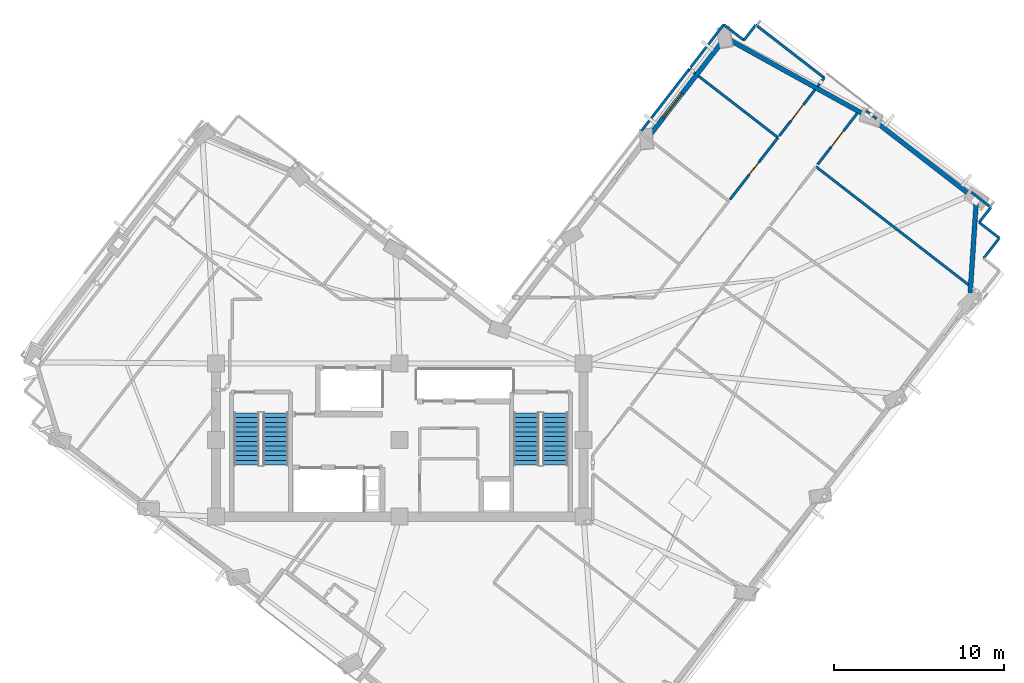
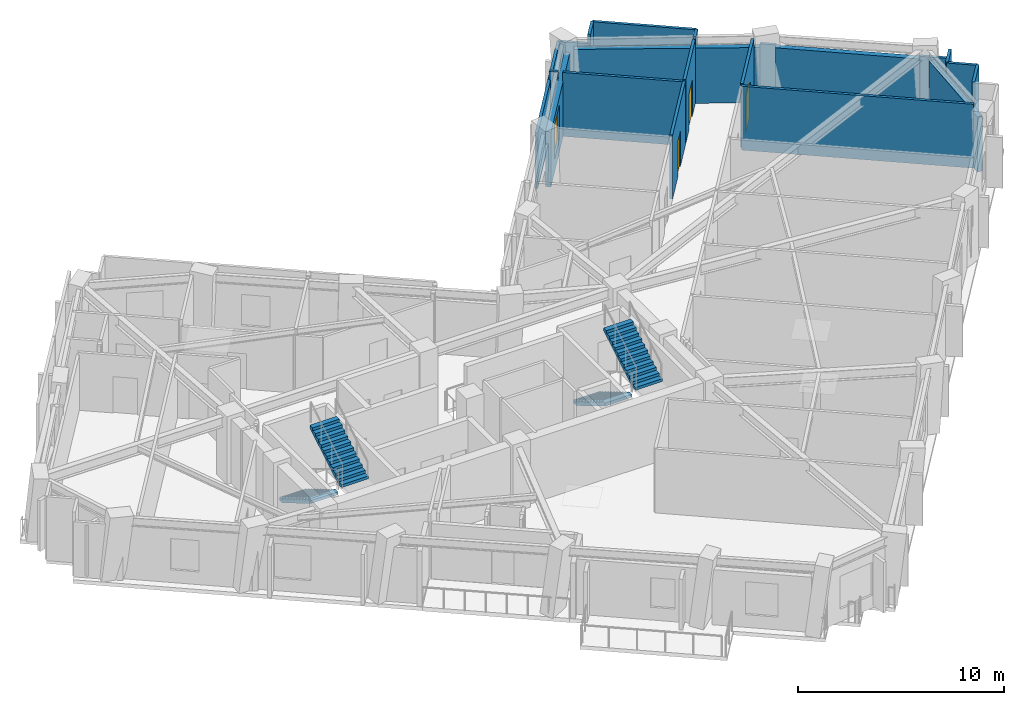
# One storey, part 7 of 12: 21 walls, 4 stair flights, 3 doors, 1 window, 4 openings, 2 elements without a shape of their own.
"""IFC4 building model written with IfcOpenShell, lengths in metres."""

from ifc_helpers import new_model, si_unit, direction, frame, frame_2d, origin, place, context, subcontext, project, spatial, polyline, rectangle, outline, extrude, material, layer, layer_set, type_object, element, fill, aggregate, save


model = new_model("IFC4")

# Units and contexts
model_context = context("Model", 3, precision=1e-05, world=origin(), true_north=direction((0.0, 1.0)))
body_context = subcontext(model_context, "Body", "Model", "MODEL_VIEW")
ifc_project = project(units=[si_unit("LENGTHUNIT", "METRE"), si_unit("AREAUNIT", "SQUARE_METRE"), si_unit("VOLUMEUNIT", "CUBIC_METRE"), si_unit("PLANEANGLEUNIT", "RADIAN"), si_unit("MASSUNIT", "GRAM", prefix="KILO")], contexts=[model_context])

# Site, building, storey
site_placement = place(None, origin())
site = spatial("IfcSite", under=ifc_project, at=site_placement, CompositionType="ELEMENT")
building_placement = place(site_placement, origin())
building = spatial("IfcBuilding", under=site, at=building_placement, Name="Gaonmaruhae Medical Tower", CompositionType="ELEMENT")
storey_placement = place(building_placement, frame((0.0, 0.0, 247.199951171875)))
storey = spatial("IfcBuildingStorey", under=building, at=storey_placement, Name="L59", CompositionType="ELEMENT", Elevation=247.199951171875)

# Walls
ifc_material_1 = material(Name="Precast concrete C45/55", Category="concrete")
ifc_layer_1 = layer(ifc_material_1, 0.280029296875)
ifc_layer_set_1 = layer_set([ifc_layer_1], Name="Precast concrete C45/55")
wall_type_1 = type_object("IfcWallType", Name="EW-280 Upper Precast Masonry-Frame Facade Wall", PredefinedType="SOLIDWALL", material=ifc_layer_set_1)
wall_1_placement = place(storey_placement, frame((58.685302734375, 26.235107421875, 0.0), z_axis=(0.0, 0.0, 1.0), x_axis=(-0.066222112401, -0.997804906697, 0.0)))
element("IfcWall", 1, at=wall_1_placement, inside=storey, type_object=wall_type_1, Name="L59 Precast Masonry-Frame Wall S06-E01", PredefinedType="SOLIDWALL", context=body_context, shape_type="SweptSolid", body=[
    extrude(rectangle(XDim=5.294189453125, YDim=0.280029296875, at=frame_2d((2.64697265625, 0.0))), origin(), (0.0, 0.0, 1.0), 3.26513671875),
])
wall_2_placement = place(storey_placement, frame((52.726806640625, 31.0478515625, 0.0), z_axis=(0.0, 0.0, 1.0), x_axis=(0.790704771372, -0.612197651522, 0.0)))
element("IfcWall", 2, at=wall_2_placement, inside=storey, type_object=wall_type_1, Name="L59 Precast Masonry-Frame Wall E01-E02", PredefinedType="SOLIDWALL", context=body_context, shape_type="SweptSolid", body=[
    extrude(rectangle(XDim=7.04638671875, YDim=0.280029296875, at=frame_2d((3.523193359375, 0.0))), origin(), (0.0, 0.0, 1.0), 3.26513671875),
])
wall_3_placement = place(storey_placement, frame((44.18212890625, 35.81982421875, 0.0), z_axis=(0.0, 0.0, 1.0), x_axis=(0.874960254065, -0.48419474781, 0.0)))
element("IfcWall", 3, at=wall_3_placement, inside=storey, type_object=wall_type_1, Name="L59 Precast Masonry-Frame Wall E02-E03", PredefinedType="SOLIDWALL", context=body_context, shape_type="SweptSolid", body=[
    extrude(rectangle(XDim=9.0361328125, YDim=0.280029296875, at=frame_2d((4.51806640625, 0.0))), origin(), (0.0, 0.0, 1.0), 3.26513671875),
])

# Wall, opening, window
wall_4_placement = place(storey_placement, frame((39.567138671875, 30.301513671875, 0.0), z_axis=(0.0, 0.0, 1.0), x_axis=(0.612201517758, 0.790701777951, 0.0)))
wall_4 = element("IfcWall", 4, at=wall_4_placement, inside=storey, type_object=wall_type_1, Name="L59 Precast Masonry-Frame Wall E03-EN01", PredefinedType="SOLIDWALL", context=body_context, shape_type="SweptSolid", body=[
    extrude(rectangle(XDim=6.77978515625, YDim=0.280029296875, at=frame_2d((3.389892578125, 0.0))), origin(), (0.0, 0.0, 1.0), 3.26513671875),
])
opening_1_placement = place(wall_4_placement, frame((1.19482421875, 0.0, 0.75)))
opening_1 = element("IfcOpeningElement", 5, at=opening_1_placement, cuts=wall_4, Name="Opening WN-04", PredefinedType="OPENING", context=body_context, shape_type="SweptSolid", body=[
    extrude(rectangle(XDim=1.800048828125, YDim=2.050048828125, at=frame_2d((0.89990234375, 1.02490234375))), frame((0.0, 0.14990234375, 0.0), z_axis=(0.0, -1.0, 0.0), x_axis=(1.0, 0.0, 0.0)), (0.0, 0.0, 1.0), 0.300048828125),
])
ifc_material_2 = material(Name="Anodised aluminium and Low-E double glazing", Category="aluminium")
window_type = type_object("IfcWindowType", Name="WN-04 Clinic & Consult Punched Window 1800x2050", PartitioningType="SINGLE_PANEL", PredefinedType="WINDOW", material=ifc_material_2)
window_placement = place(opening_1_placement, origin())
window = element("IfcWindow", 6, at=window_placement, inside=storey, type_object=window_type, Name="L59 Modular Facade Window E03", OverallHeight=2.050048828125, OverallWidth=1.800048828125, PartitioningType="SINGLE_PANEL", PredefinedType="WINDOW", context=body_context, shape_type="SweptSolid", body=[
    extrude(rectangle(XDim=1.800048828125, YDim=2.050048828125, at=frame_2d((0.89990234375, 1.02490234375))), frame((0.0, 0.030029296875, 0.0), z_axis=(0.0, -1.0, 0.0), x_axis=(1.0, 0.0, 0.0)), (0.0, 0.0, 1.0), 0.06005859375),
])
fill(opening_1, window)

# Walls
ifc_material_3 = material(Name="Gypsum board partition", Category="gypsum")
ifc_layer_2 = layer(ifc_material_3, 0.14990234375)
ifc_layer_set_2 = layer_set([ifc_layer_2], Name="Gypsum board partition")
wall_type_2 = type_object("IfcWallType", Name="PW-150 Rated Clinical Corridor Partition", PredefinedType="PARTITIONING", material=ifc_layer_set_2)
wall_5_placement = place(storey_placement, frame((49.26611328125, 28.3720703125, 0.0), z_axis=(0.0, 0.0, 1.0), x_axis=(0.790648548944, -0.612270260631, 0.0)))
element("IfcWall", 7, at=wall_5_placement, inside=storey, type_object=wall_type_2, Name="L59 Interior Partition L59-SUP09-26", PredefinedType="PARTITIONING", context=body_context, shape_type="SweptSolid", body=[
    extrude(rectangle(XDim=11.36279296875, YDim=0.14990234375, at=frame_2d((5.681396484375, 0.0))), origin(), (0.0, 0.0, 1.0), 3.780029296875),
])
wall_6_placement = place(storey_placement, frame((60.052978515625, 24.174072265625, 0.0), z_axis=(0.0, 0.0, 1.0), x_axis=(-0.612068124606, -0.790805039717, 0.0)))
element("IfcWall", 8, at=wall_6_placement, inside=storey, type_object=wall_type_2, Name="L59 Interior Partition L59-SUP10-29", PredefinedType="PARTITIONING", context=body_context, shape_type="SweptSolid", body=[
    extrude(rectangle(XDim=1.499755859375, YDim=0.14990234375, at=frame_2d((0.75, 0.0))), origin(), (0.0, 0.0, 1.0), 3.780029296875),
])

# Wall, opening, door
wall_7_placement = place(storey_placement, frame((49.364013671875, 28.498046875, 0.0), z_axis=(0.0, 0.0, 1.0), x_axis=(0.612238811962, 0.790672901475, 0.0)))
wall_7 = element("IfcWall", 9, at=wall_7_placement, inside=storey, type_object=wall_type_2, Name="L59 Interior Partition L59-SUP10-32", PredefinedType="PARTITIONING", context=body_context, shape_type="SweptSolid", body=[
    extrude(rectangle(XDim=3.826904296875, YDim=0.14990234375, at=frame_2d((1.91357421875, 0.0))), origin(), (0.0, 0.0, 1.0), 3.780029296875),
])
opening_2_placement = place(wall_7_placement, frame((1.3134765625, 0.0, 0.0)))
opening_2 = element("IfcOpeningElement", 10, at=opening_2_placement, cuts=wall_7, Name="Opening CD-02", PredefinedType="OPENING", context=body_context, shape_type="SweptSolid", body=[
    extrude(rectangle(XDim=1.199951171875, YDim=2.14990234375, at=frame_2d((0.60009765625, 1.074951171875))), frame((0.0, 0.0849609375, 0.0), z_axis=(0.0, -1.0, 0.0), x_axis=(1.0, 0.0, 0.0)), (0.0, 0.0, 1.0), 0.169921875),
])
ifc_material_4 = material(Name="Antimicrobial laminate timber fire door", Category="wood")
door_type_1 = type_object("IfcDoorType", Name="CD-02 Clinical Treatment & Procedure Door 1200x2150", OperationType="NOTDEFINED", PredefinedType="DOOR", material=ifc_material_4)
door_1_placement = place(opening_2_placement, origin())
door_1 = element("IfcDoor", 11, at=door_1_placement, inside=storey, type_object=door_type_1, Name="L59 Clinical Biomedical Charting Office Door", OperationType="SINGLE_SWING_LEFT", OverallHeight=2.14990234375, OverallWidth=1.199951171875, PredefinedType="DOOR", context=body_context, shape_type="SweptSolid", body=[
    extrude(rectangle(XDim=1.199951171875, YDim=2.14990234375, at=frame_2d((0.60009765625, 1.074951171875))), frame((0.0, 0.02490234375, 0.0), z_axis=(0.0, -1.0, 0.0), x_axis=(1.0, 0.0, 0.0)), (0.0, 0.0, 1.0), 0.050048828125),
])
fill(opening_2, door_1)

# Walls
wall_8_placement = place(storey_placement, frame((52.2099609375, 31.6640625, 0.0), z_axis=(0.0, 0.0, 1.0), x_axis=(0.790655761148, -0.612260947116, 0.0)))
element("IfcWall", 12, at=wall_8_placement, inside=storey, type_object=wall_type_2, Name="L59 Interior Partition L59-SUP10-33", PredefinedType="PARTITIONING", context=body_context, shape_type="SweptSolid", body=[
    extrude(rectangle(XDim=0.78564453125, YDim=0.14990234375, at=frame_2d((0.392822265625, 0.0))), origin(), (0.0, 0.0, 1.0), 3.26513671875),
])
wall_9_placement = place(storey_placement, frame((58.402099609375, 26.867919921875, 0.0), z_axis=(0.0, 0.0, 1.0), x_axis=(0.790768234829, -0.612115674351, 0.0)))
element("IfcWall", 13, at=wall_9_placement, inside=storey, type_object=wall_type_2, Name="L59 Interior Partition L59-SUP10-34", PredefinedType="PARTITIONING", context=body_context, shape_type="SweptSolid", body=[
    extrude(rectangle(XDim=1.455322265625, YDim=0.14990234375, at=frame_2d((0.7275390625, 0.0))), origin(), (0.0, 0.0, 1.0), 3.26513671875),
])
wall_10_placement = place(storey_placement, frame((59.552978515625, 25.97705078125, 0.0), z_axis=(0.0, 0.0, 1.0), x_axis=(-0.612656795553, -0.790349068996, 0.0)))
element("IfcWall", 14, at=wall_10_placement, inside=storey, type_object=wall_type_2, Name="L59 Interior Partition L59-SUP10-35", PredefinedType="PARTITIONING", context=body_context, shape_type="SweptSolid", body=[
    extrude(rectangle(XDim=1.119873046875, YDim=0.14990234375, at=frame_2d((0.56005859375, 0.0))), origin(), (0.0, 0.0, 1.0), 3.780029296875),
])
wall_11_placement = place(storey_placement, frame((58.866943359375, 25.092041015625, 0.0), z_axis=(0.0, 0.0, 1.0), x_axis=(0.790805039717, -0.612068124606, 0.0)))
element("IfcWall", 15, at=wall_11_placement, inside=storey, type_object=wall_type_2, Name="L59 Interior Partition L59-SUP10-36", PredefinedType="PARTITIONING", context=body_context, shape_type="SweptSolid", body=[
    extrude(rectangle(XDim=1.499755859375, YDim=0.14990234375, at=frame_2d((0.75, 0.0))), origin(), (0.0, 0.0, 1.0), 3.780029296875),
])

# Wall, opening, door
wall_12_placement = place(storey_placement, frame((47.034912109375, 30.080078125, 0.0), z_axis=(0.0, 0.0, 1.0), x_axis=(-0.612273865453, -0.790645757393, 0.0)))
wall_12 = element("IfcWall", 16, at=wall_12_placement, inside=storey, type_object=wall_type_2, Name="L59 Interior Partition L59-IE05-71", PredefinedType="PARTITIONING", context=body_context, shape_type="SweptSolid", body=[
    extrude(rectangle(XDim=4.597412109375, YDim=0.14990234375, at=frame_2d((2.298828125, 0.0))), origin(), (0.0, 0.0, 1.0), 3.780029296875),
])
opening_3_placement = place(wall_12_placement, frame((1.8388671875, 0.0, 0.0)))
opening_3 = element("IfcOpeningElement", 17, at=opening_3_placement, cuts=wall_12, Name="Opening UD-01", PredefinedType="OPENING", context=body_context, shape_type="SweptSolid", body=[
    extrude(rectangle(XDim=0.919921875, YDim=2.10009765625, at=frame_2d((0.4599609375, 1.050048828125))), frame((0.0, 0.0849609375, 0.0), z_axis=(0.0, -1.0, 0.0), x_axis=(1.0, 0.0, 0.0)), (0.0, 0.0, 1.0), 0.169921875),
])
ifc_material_5 = material(Name="Powder-coated steel utility door", Category="steel")
door_type_2 = type_object("IfcDoorType", Name="UD-01 Toilet, Utility & Housekeeping Door 920x2100", OperationType="NOTDEFINED", PredefinedType="DOOR", material=ifc_material_5)
door_2_placement = place(opening_3_placement, origin())
door_2 = element("IfcDoor", 18, at=door_2_placement, inside=storey, type_object=door_type_2, Name="L59 Ward Housekeeping and Linen Store Door", OperationType="SINGLE_SWING_LEFT", OverallHeight=2.10009765625, OverallWidth=0.919921875, PredefinedType="DOOR", context=body_context, shape_type="SweptSolid", body=[
    extrude(rectangle(XDim=0.919921875, YDim=2.10009765625, at=frame_2d((0.4599609375, 1.050048828125))), frame((0.0, 0.02490234375, 0.0), z_axis=(0.0, -1.0, 0.0), x_axis=(1.0, 0.0, 0.0)), (0.0, 0.0, 1.0), 0.050048828125),
])
fill(opening_3, door_2)

# Walls
wall_13_placement = place(storey_placement, frame((39.009033203125, 30.47998046875, 0.0), z_axis=(0.0, 0.0, 1.0), x_axis=(0.612273865453, 0.790645757393, 0.0)))
element("IfcWall", 19, at=wall_13_placement, inside=storey, type_object=wall_type_2, Name="L59 Interior Partition L59-IE05-72", PredefinedType="PARTITIONING", context=body_context, shape_type="SweptSolid", body=[
    extrude(rectangle(XDim=4.597412109375, YDim=0.14990234375, at=frame_2d((2.298828125, 0.0))), origin(), (0.0, 0.0, 1.0), 3.26513671875),
])
wall_14_placement = place(storey_placement, frame((41.823974609375, 34.114990234375, 0.0), z_axis=(0.0, 0.0, 1.0), x_axis=(0.791223248706, -0.611527407978, 0.0)))
element("IfcWall", 20, at=wall_14_placement, inside=storey, type_object=wall_type_2, Name="L59 Interior Partition L59-IE05-73", PredefinedType="PARTITIONING", context=body_context, shape_type="SweptSolid", body=[
    extrude(rectangle(XDim=0.434814453125, YDim=0.14990234375, at=frame_2d((0.21728515625, 0.0))), origin(), (0.0, 0.0, 1.0), 3.780029296875),
])
wall_15_placement = place(storey_placement, frame((42.35009765625, 33.7080078125, 0.0), z_axis=(0.0, 0.0, 1.0), x_axis=(0.790643922071, -0.612276235446, 0.0)))
element("IfcWall", 21, at=wall_15_placement, inside=storey, type_object=wall_type_2, Name="L59 Interior Partition L59-IE05-74", PredefinedType="PARTITIONING", context=body_context, shape_type="SweptSolid", body=[
    extrude(rectangle(XDim=5.92529296875, YDim=0.14990234375, at=frame_2d((2.962646484375, 0.0))), origin(), (0.0, 0.0, 1.0), 3.780029296875),
])
wall_16_placement = place(storey_placement, frame((45.030029296875, 35.805908203125, 0.0), z_axis=(0.0, 0.0, 1.0), x_axis=(0.612367575436, 0.79057317976, 0.0)))
element("IfcWall", 22, at=wall_16_placement, inside=storey, type_object=wall_type_2, Name="L59 Interior Partition L59-IE06-75", PredefinedType="PARTITIONING", context=body_context, shape_type="SweptSolid", body=[
    extrude(rectangle(XDim=1.139892578125, YDim=0.14990234375, at=frame_2d((0.56982421875, 0.0))), origin(), (0.0, 0.0, 1.0), 3.780029296875),
])
wall_17_placement = place(storey_placement, frame((45.72802734375, 36.70703125, 0.0), z_axis=(0.0, 0.0, 1.0), x_axis=(0.790731945965, -0.612162551641, 0.0)))
element("IfcWall", 23, at=wall_17_placement, inside=storey, type_object=wall_type_2, Name="L59 Interior Partition L59-IE06-76", PredefinedType="PARTITIONING", context=body_context, shape_type="SweptSolid", body=[
    extrude(rectangle(XDim=5.090087890625, YDim=0.14990234375, at=frame_2d((2.544921875, 0.0))), origin(), (0.0, 0.0, 1.0), 3.780029296875),
])
wall_18_placement = place(storey_placement, frame((49.7529296875, 33.591064453125, 0.0), z_axis=(0.0, 0.0, 1.0), x_axis=(-0.612196272142, -0.790705839346, 0.0)))
element("IfcWall", 24, at=wall_18_placement, inside=storey, type_object=wall_type_2, Name="L59 Interior Partition L59-IE06-77", PredefinedType="PARTITIONING", context=body_context, shape_type="SweptSolid", body=[
    extrude(rectangle(XDim=0.64013671875, YDim=0.14990234375, at=frame_2d((0.320068359375, 0.0))), origin(), (0.0, 0.0, 1.0), 3.780029296875),
])

# Wall, opening, door
wall_19_placement = place(storey_placement, frame((49.218994140625, 32.90087890625, 0.0), z_axis=(0.0, 0.0, 1.0), x_axis=(-0.612311720881, -0.790616440805, 0.0)))
wall_19 = element("IfcWall", 25, at=wall_19_placement, inside=storey, type_object=wall_type_2, Name="L59 Interior Partition L59-IE06-78", PredefinedType="PARTITIONING", context=body_context, shape_type="SweptSolid", body=[
    extrude(rectangle(XDim=3.44775390625, YDim=0.14990234375, at=frame_2d((1.723876953125, 0.0))), origin(), (0.0, 0.0, 1.0), 3.780029296875),
])
opening_4_placement = place(wall_19_placement, frame((1.123779296875, 0.0, 0.0)))
opening_4 = element("IfcOpeningElement", 26, at=opening_4_placement, cuts=wall_19, Name="Opening CD-02", PredefinedType="OPENING", context=body_context, shape_type="SweptSolid", body=[
    extrude(rectangle(XDim=1.199951171875, YDim=2.14990234375, at=frame_2d((0.60009765625, 1.074951171875))), frame((0.0, 0.0849609375, 0.0), z_axis=(0.0, -1.0, 0.0), x_axis=(1.0, 0.0, 0.0)), (0.0, 0.0, 1.0), 0.169921875),
])
door_3_placement = place(opening_4_placement, origin())
door_3 = element("IfcDoor", 27, at=door_3_placement, inside=storey, type_object=door_type_1, Name="L59 Multidisciplinary Clinical Consultation Room Door", OperationType="SINGLE_SWING_LEFT", OverallHeight=2.14990234375, OverallWidth=1.199951171875, PredefinedType="DOOR", context=body_context, shape_type="SweptSolid", body=[
    extrude(rectangle(XDim=1.199951171875, YDim=2.14990234375, at=frame_2d((0.60009765625, 1.074951171875))), frame((0.0, 0.02490234375, 0.0), z_axis=(0.0, -1.0, 0.0), x_axis=(1.0, 0.0, 0.0)), (0.0, 0.0, 1.0), 0.050048828125),
])
fill(opening_4, door_3)

# Walls
wall_20_placement = place(storey_placement, frame((41.89794921875, 34.2099609375, 0.0), z_axis=(0.0, 0.0, 1.0), x_axis=(0.612094201511, 0.790784855998, 0.0)))
element("IfcWall", 28, at=wall_20_placement, inside=storey, type_object=wall_type_2, Name="L59 Interior Partition L59-IE06-79", PredefinedType="PARTITIONING", context=body_context, shape_type="SweptSolid", body=[
    extrude(rectangle(XDim=3.179443359375, YDim=0.14990234375, at=frame_2d((1.58984375, 0.0))), origin(), (0.0, 0.0, 1.0), 3.26513671875),
])
wall_21_placement = place(storey_placement, frame((43.843994140625, 36.72412109375, 0.0), z_axis=(0.0, 0.0, 1.0), x_axis=(0.7907262492, -0.612169910095, 0.0)))
element("IfcWall", 29, at=wall_21_placement, inside=storey, type_object=wall_type_2, Name="L59 Interior Partition L59-IE06-80", PredefinedType="PARTITIONING", context=body_context, shape_type="SweptSolid", body=[
    extrude(rectangle(XDim=1.5, YDim=0.14990234375, at=frame_2d((0.75, 0.0))), origin(), (0.0, 0.0, 1.0), 3.26513671875),
])

# Stair, stair flights
ifc_material_6 = material(Name="Concrete C40/50", Category="concrete")
stair_type = type_object("IfcStairType", Name="ST-T1 Primary Core Escape Dogleg Stair", PredefinedType="TWO_QUARTER_TURN_STAIR", material=ifc_material_6)
stair_1_placement = place(storey_placement, origin())
stair_1 = element("IfcStair", 30, at=stair_1_placement, inside=storey, type_object=stair_type, Name="L59 Protected Escape Stair ST-01", PredefinedType="TWO_QUARTER_TURN_STAIR")
stair_flight_type = type_object("IfcStairFlightType", Name="SF-T1 Primary Core Precast Stair Flight", PredefinedType="STRAIGHT", material=ifc_material_6)
stair_flight_1_placement = place(storey_placement, frame((15.800048828125, 13.89990234375, 0.0), z_axis=(0.0, 0.0, 1.0), x_axis=(0.0, -1.0, 0.0)))
stair_flight_1 = element("IfcStairFlight", 31, at=stair_flight_1_placement, type_object=stair_flight_type, Name="ST-01 flight 1", NumberOfRisers=12, NumberOfTreads=11, PredefinedType="STRAIGHT", RiserHeight=0.166666667, TreadLength=0.28, context=body_context, shape_type="SweptSolid", body=[
    extrude(outline(polyline([(0.0, 0.0), (0.0, 0.166748046875), (0.280029296875, 0.166748046875), (0.280029296875, 0.333251953125), (0.56005859375, 0.333251953125), (0.56005859375, 0.5), (0.840087890625, 0.5), (0.840087890625, 0.666748046875), (1.1201171875, 0.666748046875), (1.1201171875, 0.833251953125), (1.39990234375, 0.833251953125), (1.39990234375, 1.0), (1.679931640625, 1.0), (1.679931640625, 1.166748046875), (1.9599609375, 1.166748046875), (1.9599609375, 1.333251953125), (2.239990234375, 1.333251953125), (2.239990234375, 1.5), (2.52001953125, 1.5), (2.52001953125, 1.666748046875), (2.800048828125, 1.666748046875), (2.800048828125, 1.833251953125), (3.080078125, 1.833251953125), (3.080078125, 2.0), (3.080078125, 1.658935546875), (0.29296875, 0.0), (0.0, 0.0)])), frame((0.0, 0.75, 0.0), z_axis=(0.0, -1.0, 0.0), x_axis=(1.0, 0.0, 0.0)), (0.0, 0.0, 1.0), 1.5),
])
stair_flight_2_placement = place(storey_placement, frame((17.5, 10.820068359375, 2.0), z_axis=(0.0, 0.0, 1.0), x_axis=(0.0, 1.0, 0.0)))
stair_flight_2 = element("IfcStairFlight", 32, at=stair_flight_2_placement, type_object=stair_flight_type, Name="ST-01 flight 2", NumberOfRisers=12, NumberOfTreads=11, PredefinedType="STRAIGHT", RiserHeight=0.166666667, TreadLength=0.28, context=body_context, shape_type="SweptSolid", body=[
    extrude(outline(polyline([(0.0, 0.0), (0.0, 0.166748046875), (0.280029296875, 0.166748046875), (0.280029296875, 0.333251953125), (0.56005859375, 0.333251953125), (0.56005859375, 0.5), (0.840087890625, 0.5), (0.840087890625, 0.666748046875), (1.1201171875, 0.666748046875), (1.1201171875, 0.833251953125), (1.39990234375, 0.833251953125), (1.39990234375, 1.0), (1.679931640625, 1.0), (1.679931640625, 1.166748046875), (1.9599609375, 1.166748046875), (1.9599609375, 1.333251953125), (2.239990234375, 1.333251953125), (2.239990234375, 1.5), (2.52001953125, 1.5), (2.52001953125, 1.666748046875), (2.800048828125, 1.666748046875), (2.800048828125, 1.833251953125), (3.080078125, 1.833251953125), (3.080078125, 2.0), (3.080078125, 1.658935546875), (0.29296875, 0.0), (0.0, 0.0)])), frame((0.0, 0.75, 0.0), z_axis=(0.0, -1.0, 0.0), x_axis=(1.0, 0.0, 0.0)), (0.0, 0.0, 1.0), 1.5),
])
aggregate(stair_1, [stair_flight_1, stair_flight_2])

stair_2_placement = place(storey_placement, origin())
stair_2 = element("IfcStair", 33, at=stair_2_placement, inside=storey, type_object=stair_type, Name="L59 Protected Escape Stair ST-02", PredefinedType="TWO_QUARTER_TURN_STAIR")
stair_flight_3_placement = place(storey_placement, frame((32.25, 13.89990234375, 0.0), z_axis=(0.0, 0.0, 1.0), x_axis=(0.0, -1.0, 0.0)))
stair_flight_3 = element("IfcStairFlight", 34, at=stair_flight_3_placement, type_object=stair_flight_type, Name="ST-02 flight 1", NumberOfRisers=12, NumberOfTreads=11, PredefinedType="STRAIGHT", RiserHeight=0.166666667, TreadLength=0.28, context=body_context, shape_type="SweptSolid", body=[
    extrude(outline(polyline([(0.0, 0.0), (0.0, 0.166748046875), (0.280029296875, 0.166748046875), (0.280029296875, 0.333251953125), (0.56005859375, 0.333251953125), (0.56005859375, 0.5), (0.840087890625, 0.5), (0.840087890625, 0.666748046875), (1.1201171875, 0.666748046875), (1.1201171875, 0.833251953125), (1.39990234375, 0.833251953125), (1.39990234375, 1.0), (1.679931640625, 1.0), (1.679931640625, 1.166748046875), (1.9599609375, 1.166748046875), (1.9599609375, 1.333251953125), (2.239990234375, 1.333251953125), (2.239990234375, 1.5), (2.52001953125, 1.5), (2.52001953125, 1.666748046875), (2.800048828125, 1.666748046875), (2.800048828125, 1.833251953125), (3.080078125, 1.833251953125), (3.080078125, 2.0), (3.080078125, 1.658935546875), (0.29296875, 0.0), (0.0, 0.0)])), frame((0.0, 0.75, 0.0), z_axis=(0.0, -1.0, 0.0), x_axis=(1.0, 0.0, 0.0)), (0.0, 0.0, 1.0), 1.5),
])
stair_flight_4_placement = place(storey_placement, frame((33.949951171875, 10.820068359375, 2.0), z_axis=(0.0, 0.0, 1.0), x_axis=(0.0, 1.0, 0.0)))
stair_flight_4 = element("IfcStairFlight", 35, at=stair_flight_4_placement, type_object=stair_flight_type, Name="ST-02 flight 2", NumberOfRisers=12, NumberOfTreads=11, PredefinedType="STRAIGHT", RiserHeight=0.166666667, TreadLength=0.28, context=body_context, shape_type="SweptSolid", body=[
    extrude(outline(polyline([(0.0, 0.0), (0.0, 0.166748046875), (0.280029296875, 0.166748046875), (0.280029296875, 0.333251953125), (0.56005859375, 0.333251953125), (0.56005859375, 0.5), (0.840087890625, 0.5), (0.840087890625, 0.666748046875), (1.1201171875, 0.666748046875), (1.1201171875, 0.833251953125), (1.39990234375, 0.833251953125), (1.39990234375, 1.0), (1.679931640625, 1.0), (1.679931640625, 1.166748046875), (1.9599609375, 1.166748046875), (1.9599609375, 1.333251953125), (2.239990234375, 1.333251953125), (2.239990234375, 1.5), (2.52001953125, 1.5), (2.52001953125, 1.666748046875), (2.800048828125, 1.666748046875), (2.800048828125, 1.833251953125), (3.080078125, 1.833251953125), (3.080078125, 2.0), (3.080078125, 1.658935546875), (0.29296875, 0.0), (0.0, 0.0)])), frame((0.0, 0.75, 0.0), z_axis=(0.0, -1.0, 0.0), x_axis=(1.0, 0.0, 0.0)), (0.0, 0.0, 1.0), 1.5),
])
aggregate(stair_2, [stair_flight_3, stair_flight_4])

save(model, "model.ifc")
